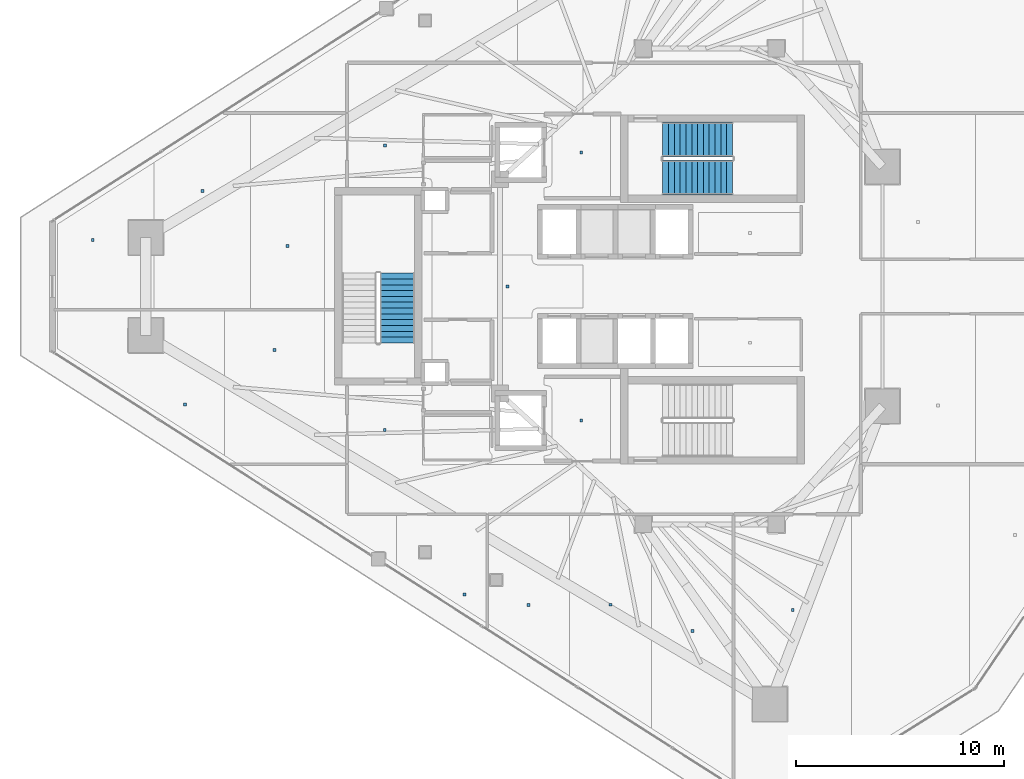
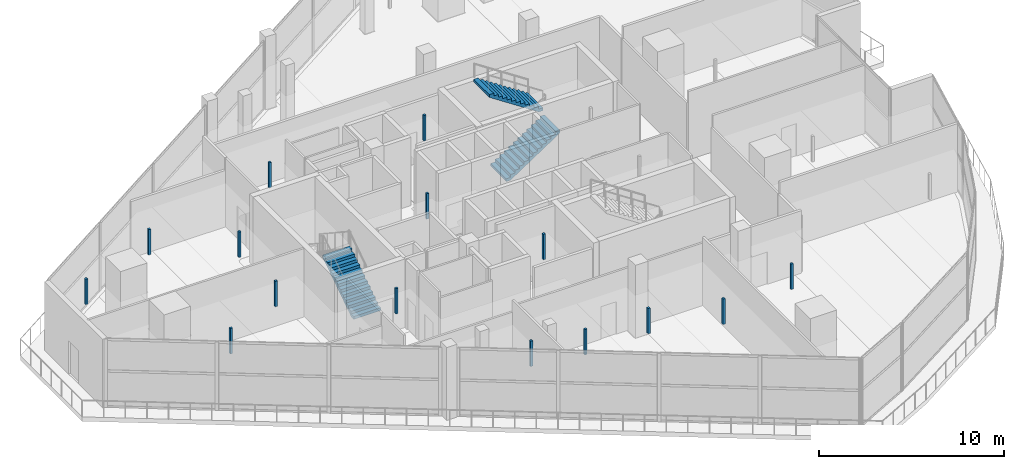
# One storey, part 28 of 36: 15 discrete accessories, 3 stair flights, 2 elements without a shape of their own.
"""IFC4 building model written with IfcOpenShell, lengths in metres."""

from ifc_helpers import new_model, si_unit, direction, frame, origin, origin_2d, place, context, subcontext, project, spatial, polyline, rectangle, outline, extrude, material, layer, layer_set, type_object, element, aggregate, save


model = new_model("IFC4")

# Units and contexts
model_context = context("Model", 3, precision=1e-05, world=origin(), true_north=direction((0.0, 1.0)))
body_context = subcontext(model_context, "Body", "Model", "MODEL_VIEW")
ifc_project = project(units=[si_unit("LENGTHUNIT", "METRE"), si_unit("AREAUNIT", "SQUARE_METRE"), si_unit("VOLUMEUNIT", "CUBIC_METRE"), si_unit("PLANEANGLEUNIT", "RADIAN"), si_unit("MASSUNIT", "GRAM", prefix="KILO")], contexts=[model_context])

# Site, building, storey
site_placement = place(None, origin())
site = spatial("IfcSite", under=ifc_project, at=site_placement, CompositionType="ELEMENT")
building_placement = place(site_placement, origin())
building = spatial("IfcBuilding", under=site, at=building_placement, Name="Qorvath Tower", CompositionType="ELEMENT")
storey_placement = place(building_placement, frame((0.0, 0.0, 255.0)))
storey = spatial("IfcBuildingStorey", under=building, at=storey_placement, Name="L59", CompositionType="ELEMENT", Elevation=255.0)

# Stair, stair flights
ifc_material_1 = material(Name="Concrete C50/60", Category="concrete")
stair_type = type_object("IfcStairType", Name="ST-H480", PredefinedType="HALF_TURN_STAIR", material=ifc_material_1)
stair_1_placement = place(storey_placement, origin())
stair_1 = element("IfcStair", 1, at=stair_1_placement, inside=storey, type_object=stair_type, Name="L59 Tower Exit Stair 1", PredefinedType="HALF_TURN_STAIR")
ifc_material_2 = material(Name="Concrete C50/60", Category="concrete")
ifc_layer = layer(ifc_material_2, 0.14990234375)
ifc_layer_set = layer_set([ifc_layer], Name="SF-H480")
stair_flight_type = type_object("IfcStairFlightType", Name="SF-H480", PredefinedType="STRAIGHT", material=ifc_layer_set)
stair_flight_1_placement = place(storey_placement, frame((-22.669921875, 5.239990234375, 0.0), z_axis=(0.0, 0.0, 1.0), x_axis=(1.0, 0.0, 0.0)))
stair_flight_1 = element("IfcStairFlight", 2, at=stair_flight_1_placement, type_object=stair_flight_type, Name="TS1 flight 1", NumberOfRisers=13, NumberOfTreads=12, PredefinedType="STRAIGHT", RiserHeight=0.184615385, TreadLength=0.28, context=body_context, shape_type="SweptSolid", body=[
    extrude(outline(polyline([(0.0, 0.0), (0.0, 0.1845703125), (0.280029296875, 0.1845703125), (0.280029296875, 0.369140625), (0.56005859375, 0.369140625), (0.56005859375, 0.553955078125), (0.840087890625, 0.553955078125), (0.840087890625, 0.738525390625), (1.1201171875, 0.738525390625), (1.1201171875, 0.923095703125), (1.39990234375, 0.923095703125), (1.39990234375, 1.107666015625), (1.679931640625, 1.107666015625), (1.679931640625, 1.292236328125), (1.9599609375, 1.292236328125), (1.9599609375, 1.476806640625), (2.239990234375, 1.476806640625), (2.239990234375, 1.66162109375), (2.52001953125, 1.66162109375), (2.52001953125, 1.84619140625), (2.800048828125, 1.84619140625), (2.800048828125, 2.03076171875), (3.080078125, 2.03076171875), (3.080078125, 2.21533203125), (3.360107421875, 2.21533203125), (3.360107421875, 2.39990234375), (3.360107421875, 2.035888671875), (0.272216796875, 0.0), (0.0, 0.0)])), frame((0.0, 0.83984375, 0.0), z_axis=(0.0, -1.0, 0.0), x_axis=(1.0, 0.0, 0.0)), (0.0, 0.0, 1.0), 1.679931640625),
])
stair_flight_2_placement = place(storey_placement, frame((-19.31005859375, 7.070068359375, 2.39990234375), z_axis=(0.0, 0.0, 1.0), x_axis=(-1.0, 0.0, 0.0)))
stair_flight_2 = element("IfcStairFlight", 3, at=stair_flight_2_placement, type_object=stair_flight_type, Name="TS1 flight 2", NumberOfRisers=13, NumberOfTreads=12, PredefinedType="STRAIGHT", RiserHeight=0.184615385, TreadLength=0.28, context=body_context, shape_type="SweptSolid", body=[
    extrude(outline(polyline([(0.0, 0.0), (0.0, 0.1845703125), (0.280029296875, 0.1845703125), (0.280029296875, 0.369140625), (0.56005859375, 0.369140625), (0.56005859375, 0.553955078125), (0.840087890625, 0.553955078125), (0.840087890625, 0.738525390625), (1.1201171875, 0.738525390625), (1.1201171875, 0.923095703125), (1.39990234375, 0.923095703125), (1.39990234375, 1.107666015625), (1.679931640625, 1.107666015625), (1.679931640625, 1.292236328125), (1.9599609375, 1.292236328125), (1.9599609375, 1.476806640625), (2.239990234375, 1.476806640625), (2.239990234375, 1.66162109375), (2.52001953125, 1.66162109375), (2.52001953125, 1.84619140625), (2.800048828125, 1.84619140625), (2.800048828125, 2.03076171875), (3.080078125, 2.03076171875), (3.080078125, 2.21533203125), (3.360107421875, 2.21533203125), (3.360107421875, 2.39990234375), (3.360107421875, 2.035888671875), (0.272216796875, 0.0), (0.0, 0.0)])), frame((0.0, 0.83984375, 0.0), z_axis=(0.0, -1.0, 0.0), x_axis=(1.0, 0.0, 0.0)), (0.0, 0.0, 1.0), 1.679931640625),
])
aggregate(stair_1, [stair_flight_1, stair_flight_2])

# Stair, stair flight
stair_2_placement = place(storey_placement, origin())
stair_2 = element("IfcStair", 4, at=stair_2_placement, inside=storey, type_object=stair_type, Name="L59 Tower Exit Stair 3", PredefinedType="HALF_TURN_STAIR")
stair_flight_3_placement = place(storey_placement, frame((-35.43994140625, -2.719970703125, 0.0), z_axis=(0.0, 0.0, 1.0), x_axis=(0.0, 1.0, 0.0)))
stair_flight_3 = element("IfcStairFlight", 5, at=stair_flight_3_placement, type_object=stair_flight_type, Name="TS3 flight 1", NumberOfRisers=13, NumberOfTreads=12, PredefinedType="STRAIGHT", RiserHeight=0.184615385, TreadLength=0.28, context=body_context, shape_type="SweptSolid", body=[
    extrude(outline(polyline([(0.0, 0.0), (0.0, 0.1845703125), (0.280029296875, 0.1845703125), (0.280029296875, 0.369140625), (0.56005859375, 0.369140625), (0.56005859375, 0.553955078125), (0.840087890625, 0.553955078125), (0.840087890625, 0.738525390625), (1.1201171875, 0.738525390625), (1.1201171875, 0.923095703125), (1.39990234375, 0.923095703125), (1.39990234375, 1.107666015625), (1.679931640625, 1.107666015625), (1.679931640625, 1.292236328125), (1.9599609375, 1.292236328125), (1.9599609375, 1.476806640625), (2.239990234375, 1.476806640625), (2.239990234375, 1.66162109375), (2.52001953125, 1.66162109375), (2.52001953125, 1.84619140625), (2.800048828125, 1.84619140625), (2.800048828125, 2.03076171875), (3.080078125, 2.03076171875), (3.080078125, 2.21533203125), (3.360107421875, 2.21533203125), (3.360107421875, 2.39990234375), (3.360107421875, 2.035888671875), (0.272216796875, 0.0), (0.0, 0.0)])), frame((0.0, 0.83984375, 0.0), z_axis=(0.0, -1.0, 0.0), x_axis=(1.0, 0.0, 0.0)), (0.0, 0.0, 1.0), 1.679931640625),
])
aggregate(stair_2, [stair_flight_3])

# Discrete accessories
ifc_material_3 = material(Name="Galvanised steel bracket", Category="steel")
discrete_accessory_type = type_object("IfcDiscreteAccessoryType", Name="DA-BRACKET", PredefinedType="BRACKET", material=ifc_material_3)
for number, where, z_axis, x_axis, name in (
    (6, (-26.590087890625, 6.449951171875, 2.85986328125), (0.0, 0.0, 1.0), (1.0, 0.0, 0.0), "Acoustic Ceiling Suspension Hanger T1-L59-001"),
    (7, (-26.590087890625, -6.449951171875, 2.85986328125), (0.0, 0.0, 1.0), (1.0, 0.0, 0.0), "Acoustic Ceiling Suspension Hanger T1-L59-002"),
    (8, (-36.04150390625, -6.907470703125, 2.85986328125), (0.0, 0.0, 1.0), (1.0, 0.0, 0.0), "Acoustic Ceiling Suspension Hanger T1-L59-011"),
    (9, (-36.040283203125, 6.782470703125, 2.85986328125), (0.0, 0.0, 1.0), (1.0, 0.0, 0.0), "Acoustic Ceiling Suspension Hanger T1-L59-012"),
    (10, (-30.13525390625, 0.0, 2.85986328125), (0.0, 0.0, 1.0), (1.0, 0.0, 0.0), "Acoustic Ceiling Suspension Hanger T1-L59-013"),
    (11, (-32.208251953125, -14.817626953125, 2.85986328125), (0.0, 0.0, 1.0), (1.0, 0.0, 0.0), "Acoustic Ceiling Suspension Hanger T1-L59-018"),
    (12, (-29.13037109375, -15.330078125, 2.85986328125), (0.0, 0.0, 1.0), (1.0, 0.0, 0.0), "Acoustic Ceiling Suspension Hanger T1-L59-019"),
    (13, (-25.1845703125, -15.31640625, 2.85986328125), (0.0, 0.0, 1.0), (1.0, 0.0, 0.0), "Acoustic Ceiling Suspension Hanger T1-L59-020"),
    (14, (-21.23876953125, -16.577392578125, 2.85986328125), (0.0, 0.0, 1.0), (1.0, 0.0, 0.0), "Acoustic Ceiling Suspension Hanger T1-L59-021"),
    (15, (-16.411865234375, -15.572021484375, 2.85986328125), (0.0, 0.0, 1.0), (1.0, 0.0, 0.0), "Acoustic Ceiling Suspension Hanger T1-L59-022"),
    (16, (-45.66455078125, -5.68603515625, 2.85986328125), (0.0, 0.0, 1.0), (1.0, 0.0, 0.0), "Acoustic Ceiling Suspension Hanger T1-L59-029"),
    (17, (-41.348388671875, -3.053955078125, 2.85986328125), (0.0, 0.0, 1.0), (1.0, 0.0, 0.0), "Acoustic Ceiling Suspension Hanger T1-L59-030"),
    (18, (-50.093017578125, 2.242431640625, 2.85986328125), (0.0, 0.0, 1.0), (1.0, 0.0, 0.0), "Acoustic Ceiling Suspension Hanger T1-L59-031"),
    (19, (-44.822021484375, 4.59228515625, 2.85986328125), (0.0, 0.0, 1.0), (1.0, 0.0, 0.0), "Acoustic Ceiling Suspension Hanger T1-L59-032"),
    (20, (-40.72607421875, 1.945068359375, 2.85986328125), (0.0, 0.0, 1.0), (1.0, 0.0, 0.0), "Acoustic Ceiling Suspension Hanger T1-L59-033"),
):
    element("IfcDiscreteAccessory", number, at=place(storey_placement, frame(where, z_axis=z_axis, x_axis=x_axis)), inside=storey, type_object=discrete_accessory_type, Name=name, PredefinedType="NOTDEFINED", context=body_context, shape_type="SweptSolid", body=[
        extrude(rectangle(XDim=0.139892578125, YDim=0.139892578125, at=origin_2d()), origin(), (0.0, 0.0, 1.0), 1.679931640625),
    ])

save(model, "model.ifc")
